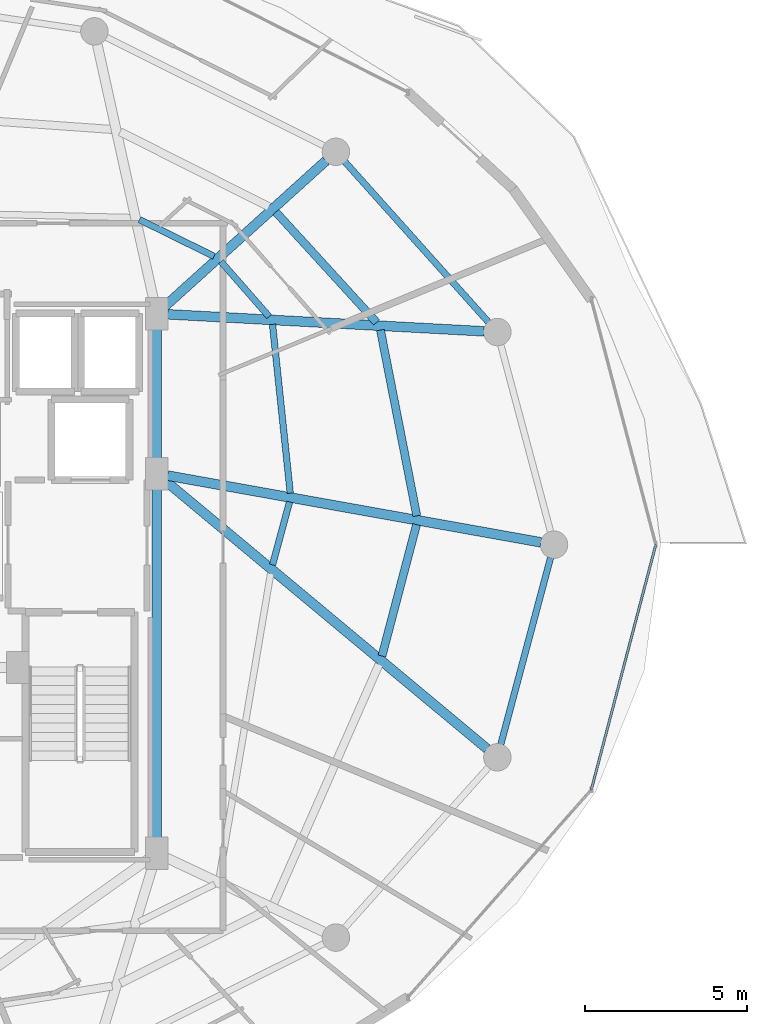
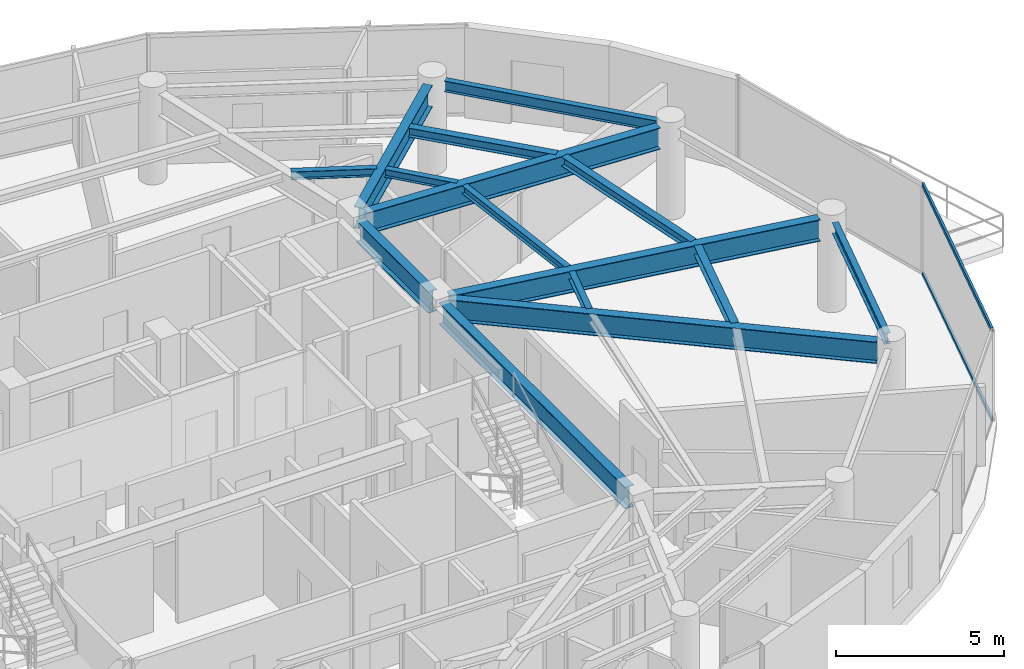
# One storey, part 15 of 31: 15 beams, 2 members, 1 element without a shape of its own.
"""IFC4 building model written with IfcOpenShell, lengths in metres."""

from ifc_helpers import new_model, si_unit, direction, frame, origin, origin_2d, place, context, subcontext, project, spatial, hollow_rectangle, i_section, extrude, material, material_profile, profile_set, type_object, element, aggregate, save


model = new_model("IFC4")

# Units and contexts
model_context = context("Model", 3, precision=1e-05, world=origin(), true_north=direction((0.0, 1.0)))
body_context = subcontext(model_context, "Body", "Model", "MODEL_VIEW")
ifc_project = project(units=[si_unit("LENGTHUNIT", "METRE"), si_unit("AREAUNIT", "SQUARE_METRE"), si_unit("VOLUMEUNIT", "CUBIC_METRE"), si_unit("PLANEANGLEUNIT", "RADIAN"), si_unit("MASSUNIT", "GRAM", prefix="KILO")], contexts=[model_context])

# Site, building, storey
site_placement = place(None, origin())
site = spatial("IfcSite", under=ifc_project, at=site_placement, CompositionType="ELEMENT")
building_placement = place(site_placement, origin())
building = spatial("IfcBuilding", under=site, at=building_placement, Name="Vorneva Point Tower", CompositionType="ELEMENT")
storey_placement = place(building_placement, frame((0.0, 0.0, 266.199951171875)))
storey = spatial("IfcBuildingStorey", under=building, at=storey_placement, Name="L72", CompositionType="ELEMENT", Elevation=266.199951171875)

# Beams
ifc_material_1 = material(Name="Steel S355", Category="steel")
ifc_material_profile_1 = material_profile(ifc_material_1, i_section(OverallWidth=0.300048828125, OverallDepth=0.7880859375, WebThickness=0.014404296875, FlangeThickness=0.02197265625, at=origin_2d()), Name="80Sh1")
ifc_profile_set_1 = profile_set([ifc_material_profile_1], Name="Steel S355")
beam_type_1 = type_object("IfcBeamType", Name="BM-GRD-80Sh1", PredefinedType="USERDEFINED", material=ifc_profile_set_1)
beam_1_placement = place(storey_placement, frame((60.6435546875, 26.07275390625, 2.89599609375), z_axis=(-0.9843788355, 0.17606336422, 0.0), x_axis=(-0.17606336422, -0.9843788355, 0.0)))
element("IfcBeam", 1, at=beam_1_placement, inside=storey, type_object=beam_type_1, Name="L72 Radial Primary Girder 01", ObjectType="GIRDER", PredefinedType="USERDEFINED", context=body_context, shape_type="SweptSolid", body=[
    extrude(i_section(OverallWidth=0.300048828125, OverallDepth=0.7880859375, WebThickness=0.014404296875, FlangeThickness=0.02197265625, at=origin_2d()), origin(), (0.0, 0.0, 1.0), 11.7421875),
])
beam_2_placement = place(storey_placement, frame((58.883056640625, 32.6044921875, 2.89599609375), z_axis=(-0.998554756376, 0.05374382308, 0.0), x_axis=(-0.05374382308, -0.998554756376, 0.0)))
element("IfcBeam", 2, at=beam_2_placement, inside=storey, type_object=beam_type_1, Name="L72 Radial Primary Girder 02", ObjectType="GIRDER", PredefinedType="USERDEFINED", context=body_context, shape_type="SweptSolid", body=[
    extrude(i_section(OverallWidth=0.300048828125, OverallDepth=0.7880859375, WebThickness=0.014404296875, FlangeThickness=0.02197265625, at=origin_2d()), origin(), (0.0, 0.0, 1.0), 9.8076171875),
])
beam_3_placement = place(storey_placement, frame((53.9921875, 37.885498046875, 2.89599609375), z_axis=(-0.7420671051, -0.670325601128, 0.0), x_axis=(0.670325601128, -0.7420671051, 0.0)))
element("IfcBeam", 3, at=beam_3_placement, inside=storey, type_object=beam_type_1, Name="L72 Radial Primary Girder 03", ObjectType="GIRDER", PredefinedType="USERDEFINED", context=body_context, shape_type="SweptSolid", body=[
    extrude(i_section(OverallWidth=0.300048828125, OverallDepth=0.7880859375, WebThickness=0.014404296875, FlangeThickness=0.02197265625, at=origin_2d()), origin(), (0.0, 0.0, 1.0), 6.724365234375),
])
beam_4_placement = place(storey_placement, frame((58.97802734375, 19.68212890625, 2.89599609375), z_axis=(-0.768424898021, 0.639939978515, 0.0), x_axis=(-0.639939978515, -0.768424898021, 0.0)))
element("IfcBeam", 4, at=beam_4_placement, inside=storey, type_object=beam_type_1, Name="L72 Radial Primary Girder 16", ObjectType="GIRDER", PredefinedType="USERDEFINED", context=body_context, shape_type="SweptSolid", body=[
    extrude(i_section(OverallWidth=0.300048828125, OverallDepth=0.7880859375, WebThickness=0.014404296875, FlangeThickness=0.02197265625, at=origin_2d()), origin(), (0.0, 0.0, 1.0), 12.970458984375),
])
beam_5_placement = place(storey_placement, frame((48.75, 16.77001953125, 2.89599609375), z_axis=(0.0, 1.0, 0.0), x_axis=(-1.0, 0.0, 0.0)))
element("IfcBeam", 5, at=beam_5_placement, inside=storey, type_object=beam_type_1, Name="L72 Core Tie Girder CT3", ObjectType="GIRDER", PredefinedType="USERDEFINED", context=body_context, shape_type="SweptSolid", body=[
    extrude(i_section(OverallWidth=0.300048828125, OverallDepth=0.7880859375, WebThickness=0.014404296875, FlangeThickness=0.02197265625, at=origin_2d()), origin(), (0.0, 0.0, 1.0), 11.10986328125),
])
beam_6_placement = place(storey_placement, frame((48.75, 28.52001953125, 2.89599609375), z_axis=(0.0, 1.0, 0.0), x_axis=(-1.0, 0.0, 0.0)))
element("IfcBeam", 6, at=beam_6_placement, inside=storey, type_object=beam_type_1, Name="L72 Core Tie Girder CT4", ObjectType="GIRDER", PredefinedType="USERDEFINED", context=body_context, shape_type="SweptSolid", body=[
    extrude(i_section(OverallWidth=0.300048828125, OverallDepth=0.7880859375, WebThickness=0.014404296875, FlangeThickness=0.02197265625, at=origin_2d()), origin(), (0.0, 0.0, 1.0), 4.31005859375),
])
ifc_material_profile_2 = material_profile(ifc_material_1, i_section(OverallWidth=0.199951171875, OverallDepth=0.291015625, WebThickness=0.008056640625, FlangeThickness=0.010986328125, at=origin_2d()), Name="30Sh1")
ifc_profile_set_2 = profile_set([ifc_material_profile_2], Name="Steel S355")
beam_type_2 = type_object("IfcBeamType", Name="BM-SEC-30Sh1", PredefinedType="BEAM", material=ifc_profile_set_2)
beam_7_placement = place(storey_placement, frame((52.884765625, 27.59521484375, 3.14453125), z_axis=(-0.104508201647, 0.994524024742, 0.0), x_axis=(-0.994524024742, -0.104508201647, 0.0)))
element("IfcBeam", 7, at=beam_7_placement, inside=storey, type_object=beam_type_2, Name="L72 Secondary Floor Beam 2.01", PredefinedType="BEAM", context=body_context, shape_type="SweptSolid", body=[
    extrude(i_section(OverallWidth=0.199951171875, OverallDepth=0.291015625, WebThickness=0.008056640625, FlangeThickness=0.010986328125, at=origin_2d()), origin(), (0.0, 0.0, 1.0), 5.25390625),
])
beam_8_placement = place(storey_placement, frame((52.23046875, 33.0615234375, 3.14453125), z_axis=(-0.659207612715, 0.75196098525, 0.0), x_axis=(-0.75196098525, -0.659207612715, 0.0)))
element("IfcBeam", 8, at=beam_8_placement, inside=storey, type_object=beam_type_2, Name="L72 Secondary Floor Beam 2.02", PredefinedType="BEAM", context=body_context, shape_type="SweptSolid", body=[
    extrude(i_section(OverallWidth=0.199951171875, OverallDepth=0.291015625, WebThickness=0.008056640625, FlangeThickness=0.010986328125, at=origin_2d()), origin(), (0.0, 0.0, 1.0), 2.260986328125),
])
beam_9_placement = place(storey_placement, frame((50.525146484375, 34.92626953125, 3.14453125), z_axis=(-0.897106439702, 0.441814481254, 0.0), x_axis=(-0.441814481254, -0.897106439702, 0.0)))
element("IfcBeam", 9, at=beam_9_placement, inside=storey, type_object=beam_type_2, Name="L72 Secondary Floor Beam 2.03", PredefinedType="BEAM", context=body_context, shape_type="SweptSolid", body=[
    extrude(i_section(OverallWidth=0.199951171875, OverallDepth=0.291015625, WebThickness=0.008056640625, FlangeThickness=0.010986328125, at=origin_2d()), origin(), (0.0, 0.0, 1.0), 2.572265625),
])
beam_10_placement = place(storey_placement, frame((52.336181640625, 25.37646484375, 3.14453125), z_axis=(0.26104917741, 0.96532550312, 0.0), x_axis=(-0.96532550312, 0.26104917741, 0.0)))
element("IfcBeam", 10, at=beam_10_placement, inside=storey, type_object=beam_type_2, Name="L72 Secondary Floor Beam 2.16", PredefinedType="BEAM", context=body_context, shape_type="SweptSolid", body=[
    extrude(i_section(OverallWidth=0.199951171875, OverallDepth=0.291015625, WebThickness=0.008056640625, FlangeThickness=0.010986328125, at=origin_2d()), origin(), (0.0, 0.0, 1.0), 2.018310546875),
])
ifc_material_profile_3 = material_profile(ifc_material_1, i_section(OverallWidth=0.2490234375, OverallDepth=0.333984375, WebThickness=0.008056640625, FlangeThickness=0.010986328125, at=origin_2d()), Name="35Sh1")
ifc_profile_set_3 = profile_set([ifc_material_profile_3], Name="Steel S355")
beam_type_3 = type_object("IfcBeamType", Name="BM-SEC-35Sh1", PredefinedType="BEAM", material=ifc_profile_set_3)
beam_11_placement = place(storey_placement, frame((56.802490234375, 26.890380859375, 3.123046875), z_axis=(-0.191925271484, 0.981409542528, 0.0), x_axis=(-0.981409542528, -0.191925271484, 0.0)))
element("IfcBeam", 11, at=beam_11_placement, inside=storey, type_object=beam_type_3, Name="L72 Secondary Floor Beam 1.01", PredefinedType="BEAM", context=body_context, shape_type="SweptSolid", body=[
    extrude(i_section(OverallWidth=0.2490234375, OverallDepth=0.333984375, WebThickness=0.008056640625, FlangeThickness=0.010986328125, at=origin_2d()), origin(), (0.0, 0.0, 1.0), 5.861572265625),
])
beam_12_placement = place(storey_placement, frame((55.55810546875, 32.88037109375, 3.123046875), z_axis=(-0.674370728017, 0.738392931436, 0.0), x_axis=(-0.738392931436, -0.674370728017, 0.0)))
element("IfcBeam", 12, at=beam_12_placement, inside=storey, type_object=beam_type_3, Name="L72 Secondary Floor Beam 1.02", PredefinedType="BEAM", context=body_context, shape_type="SweptSolid", body=[
    extrude(i_section(OverallWidth=0.2490234375, OverallDepth=0.333984375, WebThickness=0.008056640625, FlangeThickness=0.010986328125, at=origin_2d()), origin(), (0.0, 0.0, 1.0), 4.625732421875),
])
beam_13_placement = place(storey_placement, frame((55.72412109375, 22.5546875, 3.123046875), z_axis=(0.254401852256, 0.967098597646, 0.0), x_axis=(-0.967098597646, 0.254401852256, 0.0)))
element("IfcBeam", 13, at=beam_13_placement, inside=storey, type_object=beam_type_3, Name="L72 Secondary Floor Beam 1.16", PredefinedType="BEAM", context=body_context, shape_type="SweptSolid", body=[
    extrude(i_section(OverallWidth=0.2490234375, OverallDepth=0.333984375, WebThickness=0.008056640625, FlangeThickness=0.010986328125, at=origin_2d()), origin(), (0.0, 0.0, 1.0), 4.205322265625),
])
ifc_material_profile_4 = material_profile(ifc_material_1, i_section(OverallWidth=0.198974609375, OverallDepth=0.39599609375, WebThickness=0.007080078125, FlangeThickness=0.010986328125, at=origin_2d()), Name="40B1")
ifc_profile_set_4 = profile_set([ifc_material_profile_4], Name="Steel S355")
beam_type_4 = type_object("IfcBeamType", Name="BM-SPN-40B1", PredefinedType="SPANDREL", material=ifc_profile_set_4)
beam_14_placement = place(storey_placement, frame((59.02197265625, 32.8876953125, 3.092041015625), z_axis=(-0.667108282638, 0.744960763554, 0.0), x_axis=(-0.744960763554, -0.667108282638, 0.0)))
element("IfcBeam", 14, at=beam_14_placement, inside=storey, type_object=beam_type_4, Name="L72 Perimeter Spandrel Ring Beam 02", PredefinedType="SPANDREL", context=body_context, shape_type="SweptSolid", body=[
    extrude(i_section(OverallWidth=0.198974609375, OverallDepth=0.39599609375, WebThickness=0.007080078125, FlangeThickness=0.010986328125, at=origin_2d()), origin(), (0.0, 0.0, 1.0), 6.670166015625),
])
beam_15_placement = place(storey_placement, frame((59.40087890625, 19.81396484375, 3.092041015625), z_axis=(0.257586570866, 0.966255224312, 0.0), x_axis=(-0.966255224312, 0.257586570866, 0.0)))
element("IfcBeam", 15, at=beam_15_placement, inside=storey, type_object=beam_type_4, Name="L72 Perimeter Spandrel Ring Beam 16", PredefinedType="SPANDREL", context=body_context, shape_type="SweptSolid", body=[
    extrude(i_section(OverallWidth=0.198974609375, OverallDepth=0.39599609375, WebThickness=0.007080078125, FlangeThickness=0.010986328125, at=origin_2d()), origin(), (0.0, 0.0, 1.0), 5.991943359375),
])

# Curtain wall, members
ifc_material_2 = material(Name="Pale anodised aluminium", Category="aluminium")
curtain_wall_type = type_object("IfcCurtainWallType", Name="CW-RES-SYS", PredefinedType="NOTDEFINED", material=ifc_material_2)
curtain_wall_placement = place(storey_placement, origin())
curtain_wall = element("IfcCurtainWall", 16, at=curtain_wall_placement, inside=storey, type_object=curtain_wall_type, Name="L72 Unitised Curtain Wall CW-L72-R01", PredefinedType="NOTDEFINED")
ifc_material_profile_5 = material_profile(ifc_material_2, hollow_rectangle(XDim=0.074951171875, YDim=0.14990234375, WallThickness=0.00390625, at=origin_2d()), Name="AL-TRN 150x75x4")
ifc_profile_set_5 = profile_set([ifc_material_profile_5], Name="Pale anodised aluminium")
member_type = type_object("IfcMemberType", Name="CW-TRN-150", PredefinedType="USERDEFINED", material=ifc_profile_set_5)
member_1_placement = place(storey_placement, frame((62.20556640625, 18.4189453125, 0.02001953125), z_axis=(0.254418180926, 0.967094302131, 0.0), x_axis=(-0.967094302131, 0.254418180926, 0.0)))
member_1 = element("IfcMember", 17, at=member_1_placement, type_object=member_type, Name="CW-L72-R01 Transom 02.1", ObjectType="TRANSOM", PredefinedType="USERDEFINED", context=body_context, shape_type="SweptSolid", body=[
    extrude(hollow_rectangle(XDim=0.074951171875, YDim=0.14990234375, WallThickness=0.00390625, at=origin_2d()), origin(), (0.0, 0.0, 1.0), 7.839111328125),
])
member_2_placement = place(storey_placement, frame((62.20556640625, 18.4189453125, 3.27001953125), z_axis=(0.254418180926, 0.967094302131, 0.0), x_axis=(-0.967094302131, 0.254418180926, 0.0)))
member_2 = element("IfcMember", 18, at=member_2_placement, type_object=member_type, Name="CW-L72-R01 Transom 02.2", ObjectType="TRANSOM", PredefinedType="USERDEFINED", context=body_context, shape_type="SweptSolid", body=[
    extrude(hollow_rectangle(XDim=0.074951171875, YDim=0.14990234375, WallThickness=0.00390625, at=origin_2d()), origin(), (0.0, 0.0, 1.0), 7.839111328125),
])
aggregate(curtain_wall, [member_1, member_2])

save(model, "model.ifc")
